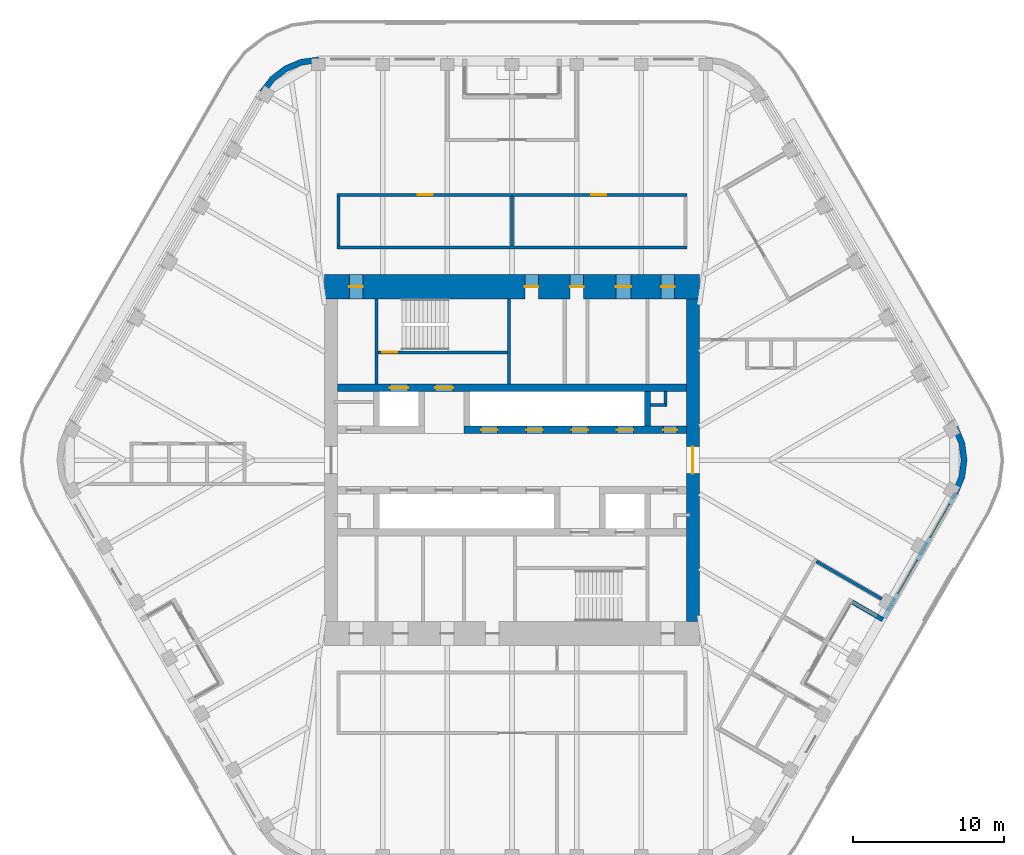
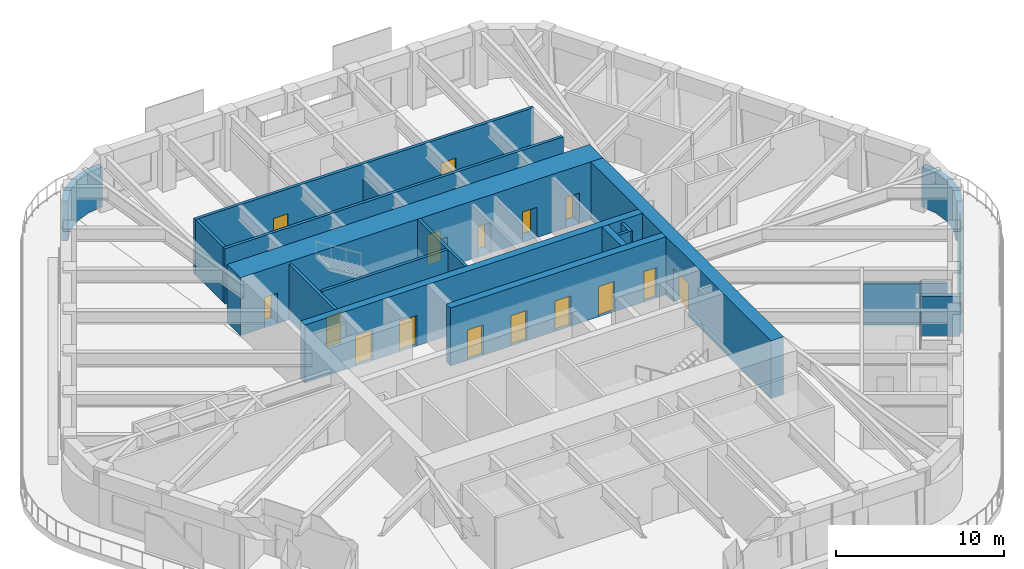
# One storey, part 15 of 19: 19 walls, 16 doors, 2 windows, 18 openings.
"""IFC4 building model written with IfcOpenShell, lengths in metres."""

import ifcopenshell
import ifcopenshell.guid

model = None  # the IFC model being written
_history = None  # IfcOwnerHistory: only IFC2X3 demands one
_inside = {}  # id of a spatial element -> (the spatial element, [elements in it])
_under = {}  # id of a project, library or spatial element -> (it, [spatial elements below it])
_declared = {}  # id of a project -> (the project, [libraries it declares])
_typed = {}  # id of a type object -> (the type object, [elements of that type])
_made_of = {}  # id of a material, layer set ... -> (it, [elements and type objects made of it])


def new_model(schema):
    """Start an empty IFC model of exactly this schema.

    Asked for "IFC4X3", IfcOpenShell would pick the latest addendum, in which some entities
    have other attributes; the version numbers below select the first issue.
    IFC2X3 requires an IfcOwnerHistory on every rooted entity: one is made here for all.
    """
    global model, _history
    if schema == "IFC4X3":
        model = ifcopenshell.file(schema_version=(4, 3, 0, 0))
    else:
        model = ifcopenshell.file(schema=schema)
    _inside.clear()
    _under.clear()
    _declared.clear()
    _typed.clear()
    _made_of.clear()
    _history = None
    if model.schema == "IFC2X3":
        org = make("IfcOrganization", Name="unknown")
        user = make(
            "IfcPersonAndOrganization",
            ThePerson=make("IfcPerson", FamilyName="unknown"),
            TheOrganization=org,
        )
        app = make(
            "IfcApplication",
            ApplicationDeveloper=org,
            Version="unknown",
            ApplicationFullName="unknown",
            ApplicationIdentifier="unknown",
        )
        _history = make(
            "IfcOwnerHistory",
            OwningUser=user,
            OwningApplication=app,
            ChangeAction="ADDED",
            CreationDate=0,
        )
    return model


def make(cls, **values):
    """One entity of the class cls with the attributes given. An attribute that is None is left unset."""
    return model.create_entity(
        cls, **{name: value for name, value in values.items() if value is not None}
    )


def rooted(cls, **values):
    """An entity with a GlobalId (a new one), such as an element, a storey or a relation."""
    return make(cls, GlobalId=ifcopenshell.guid.new(), OwnerHistory=_history, **values)


def si_unit(unit_type, name, prefix=None):
    """IfcSIUnit, for example si_unit("LENGTHUNIT", "METRE", prefix="MILLI")."""
    return make("IfcSIUnit", UnitType=unit_type, Prefix=prefix, Name=name)


def assignment(units):
    """IfcUnitAssignment: the units of a project."""
    return None if units is None else make("IfcUnitAssignment", Units=units)


def point(xyz):
    """IfcCartesianPoint."""
    return None if xyz is None else make("IfcCartesianPoint", Coordinates=xyz)


def direction(xyz):
    """IfcDirection."""
    return None if xyz is None else make("IfcDirection", DirectionRatios=xyz)


def frame(location, z_axis=None, x_axis=None):
    """IfcAxis2Placement3D, a coordinate frame: its origin and axes. An axis left out is left unset."""
    return make(
        "IfcAxis2Placement3D",
        Location=point(location),
        Axis=direction(z_axis),
        RefDirection=direction(x_axis),
    )


def frame_2d(location, x_axis=None):
    """IfcAxis2Placement2D, a coordinate frame in the plane: its origin and x axis."""
    return make(
        "IfcAxis2Placement2D", Location=point(location), RefDirection=direction(x_axis)
    )


def origin():
    """The frame at (0, 0, 0) with its axes left unset."""
    return frame((0.0, 0.0, 0.0))


def place(relative_to, where):
    """IfcLocalPlacement: puts the frame where relative to a parent placement (None: the world)."""
    return make(
        "IfcLocalPlacement", PlacementRelTo=relative_to, RelativePlacement=where
    )


def context(
    kind, dimensions, precision=None, world=None, true_north=None, identifier=None
):
    """IfcGeometricRepresentationContext, for example the 3D "Model" context."""
    return make(
        "IfcGeometricRepresentationContext",
        ContextIdentifier=identifier,
        ContextType=kind,
        CoordinateSpaceDimension=dimensions,
        Precision=precision,
        WorldCoordinateSystem=world,
        TrueNorth=true_north,
    )


def subcontext(parent, identifier, kind, view, scale=None):
    """IfcGeometricRepresentationSubContext, for example "Body" below "Model"."""
    return make(
        "IfcGeometricRepresentationSubContext",
        ContextIdentifier=identifier,
        ContextType=kind,
        ParentContext=parent,
        TargetScale=scale,
        TargetView=view,
    )


def project(units=None, contexts=None):
    """IfcProject with its units and contexts."""
    return rooted(
        "IfcProject",
        Name="project",
        RepresentationContexts=contexts,
        UnitsInContext=assignment(units),
    )


def spatial(cls, under=None, at=None, **own):
    """A site, building, storey or space (cls), placed at a placement, below another one or the project."""
    s = rooted(cls, ObjectPlacement=at, **own)
    if under is not None:
        _under.setdefault(under.id(), (under, []))[1].append(s)
    return s


def polyline(points):
    """IfcPolyline through the points."""
    return make("IfcPolyline", Points=[point(p) for p in points])


def profile(cls, at=None, kind="AREA", **sizes):
    """A parametric profile (cls). Its sizes go by their IFC names, for example OverallWidth=200.0."""
    return make(cls, ProfileType=kind, Position=at, **sizes)


def rectangle(**sizes):
    """IfcRectangleProfileDef."""
    return profile("IfcRectangleProfileDef", **sizes)


def outline(outer, holes=None, kind="AREA"):
    """IfcArbitraryClosedProfileDef: a profile drawn as a closed curve; with holes, ...WithVoids."""
    if holes is None:
        return make("IfcArbitraryClosedProfileDef", ProfileType=kind, OuterCurve=outer)
    return make(
        "IfcArbitraryProfileDefWithVoids",
        ProfileType=kind,
        OuterCurve=outer,
        InnerCurves=holes,
    )


def extrude(swept, where, along, depth):
    """IfcExtrudedAreaSolid: the profile swept, set in the frame where, extruded along a direction by depth."""
    return make(
        "IfcExtrudedAreaSolid",
        SweptArea=swept,
        Position=where,
        ExtrudedDirection=direction(along),
        Depth=depth,
    )


def shape(context_of_items, identifier, shape_type, items):
    """IfcShapeRepresentation: the items that make up one representation, for example the "Body"."""
    return make(
        "IfcShapeRepresentation",
        ContextOfItems=context_of_items,
        RepresentationIdentifier=identifier,
        RepresentationType=shape_type,
        Items=items,
    )


def material(Name=None, Category=None):
    """IfcMaterial."""
    return make("IfcMaterial", Name=Name, Category=Category)


def layer(
    of_material, thickness, ventilated=None, Name=None, Category=None, Priority=None
):
    """IfcMaterialLayer: one layer of a wall or slab, of a material (None: an air gap)."""
    return make(
        "IfcMaterialLayer",
        Material=of_material,
        LayerThickness=thickness,
        IsVentilated=ventilated,
        Name=Name,
        Category=Category,
        Priority=Priority,
    )


def layer_set(layers, Name=None):
    """IfcMaterialLayerSet."""
    return make("IfcMaterialLayerSet", MaterialLayers=layers, LayerSetName=Name)


def made_of(thing, what):
    """Note that an element or type object is made of a material, layer set ...; save() writes the relation."""
    if what is not None:
        _made_of.setdefault(what.id(), (what, []))[1].append(thing)
    return thing


def type_object(cls, material=None, **own):
    """A type object (cls), such as IfcWallType, which elements share."""
    return made_of(rooted(cls, **own), material)


def element(
    cls,
    number,
    at=None,
    inside=None,
    cuts=None,
    type_object=None,
    material=None,
    context=None,
    identifier="Body",
    shape_type=None,
    held_by="IfcProductDefinitionShape",
    body=None,
    shapes=None,
    **own,
):
    """One element of the class cls, such as IfcWall. Its Tag is "e" and its number.

    at: its placement. inside: the storey or other place that contains it. cuts: it is an
    opening in that element (IfcRelVoidsElement). A single representation is given by context,
    identifier, shape_type and body (its items); several are given by shapes. held_by: the class
    of the entity that holds the representations. save() writes the other relations.
    """
    e = rooted(cls, Tag="e%d" % number, ObjectPlacement=at, **own)
    if body is not None:
        shapes = [shape(context, identifier, shape_type, body)]
    if shapes is not None:
        e.Representation = make(held_by, Representations=shapes)
    if inside is not None:
        _inside.setdefault(inside.id(), (inside, []))[1].append(e)
    if cuts is not None:
        rooted(
            "IfcRelVoidsElement", RelatingBuildingElement=cuts, RelatedOpeningElement=e
        )
    if type_object is not None:
        _typed.setdefault(type_object.id(), (type_object, []))[1].append(e)
    return made_of(e, material)


def fill(opening, filler):
    """IfcRelFillsElement: the door or window that sits in an opening."""
    return rooted(
        "IfcRelFillsElement",
        RelatingOpeningElement=opening,
        RelatedBuildingElement=filler,
    )


def aggregate(whole, parts):
    """IfcRelAggregates: a whole, such as a stair, and the parts it consists of."""
    return rooted("IfcRelAggregates", RelatingObject=whole, RelatedObjects=parts)


def save(model, path):
    """Write the relations noted so far, then the file.

    IfcRelAggregates (storeys below a building ...), IfcRelContainedInSpatialStructure (elements
    in a storey), IfcRelDefinesByType, IfcRelAssociatesMaterial and IfcRelDeclares: one each for
    every whole, place, type object, material and project.
    """
    for whole, parts in _under.values():
        aggregate(whole, parts)
    for where, things in _inside.values():
        rooted(
            "IfcRelContainedInSpatialStructure",
            RelatedElements=things,
            RelatingStructure=where,
        )
    for kind, things in _typed.values():
        rooted("IfcRelDefinesByType", RelatedObjects=things, RelatingType=kind)
    for what, things in _made_of.values():
        rooted("IfcRelAssociatesMaterial", RelatedObjects=things, RelatingMaterial=what)
    for by, libraries in _declared.values():
        rooted("IfcRelDeclares", RelatingContext=by, RelatedDefinitions=libraries)
    model.write(path)


model = new_model("IFC4")

# Units and contexts
model_context = context("Model", 3, precision=1e-05, world=origin(), true_north=direction((0.0, 1.0)))
body_context = subcontext(model_context, "Body", "Model", "MODEL_VIEW")
ifc_project = project(units=[si_unit("LENGTHUNIT", "METRE"), si_unit("AREAUNIT", "SQUARE_METRE"), si_unit("VOLUMEUNIT", "CUBIC_METRE"), si_unit("PLANEANGLEUNIT", "RADIAN"), si_unit("MASSUNIT", "GRAM", prefix="KILO")], contexts=[model_context])

# Site, building, storey
site_placement = place(None, origin())
site = spatial("IfcSite", under=ifc_project, at=site_placement, CompositionType="ELEMENT")
building_placement = place(site_placement, origin())
building = spatial("IfcBuilding", under=site, at=building_placement, Name="Tarfa Lantern Tower", CompositionType="ELEMENT")
storey_placement = place(building_placement, frame((0.0, 0.0, 353.5)))
storey = spatial("IfcBuildingStorey", under=building, at=storey_placement, Name="L80", CompositionType="ELEMENT", Elevation=353.5)

# Wall, openings, windows
ifc_material_1 = material(Name="Limestone cladding on blockwork", Category="masonry")
ifc_layer_1 = layer(ifc_material_1, 0.300048828125)
ifc_layer_set_1 = layer_set([ifc_layer_1], Name="EW1 STONE-CLAD WALL 300")
wall_type_1 = type_object("IfcWallType", Name="EW1 STONE-CLAD WALL 300", PredefinedType="SOLIDWALL", material=ifc_layer_set_1)
wall_1_placement = place(storey_placement, frame((24.67724609375, -10.457763671875, 0.0), z_axis=(0.0, 0.0, 1.0), x_axis=(0.499996453679, 0.866027451244, 0.0)))
wall_1 = element("IfcWall", 1, at=wall_1_placement, inside=storey, type_object=wall_type_1, Name="Stone wall SEB", PredefinedType="SOLIDWALL", context=body_context, shape_type="SweptSolid", body=[
    extrude(rectangle(XDim=9.56396484375, YDim=0.300048828125, at=frame_2d((4.781982421875, 0.0))), origin(), (0.0, 0.0, 1.0), 2.89990234375),
])
opening_1_placement = place(wall_1_placement, frame((1.865966796875, 0.0, 0.60009765625)))
opening_1 = element("IfcOpeningElement", 2, at=opening_1_placement, cuts=wall_1, Name="Opening W17", PredefinedType="OPENING", context=body_context, shape_type="SweptSolid", body=[
    extrude(rectangle(XDim=2.550048828125, YDim=2.050048828125, at=frame_2d((1.27490234375, 1.02490234375))), frame((0.0, 0.159912109375, 0.0), z_axis=(0.0, -1.0, 0.0), x_axis=(1.0, 0.0, 0.0)), (0.0, 0.0, 1.0), 0.320068359375),
])
opening_2_placement = place(wall_1_placement, frame((6.14794921875, 0.0, 0.60009765625)))
opening_2 = element("IfcOpeningElement", 3, at=opening_2_placement, cuts=wall_1, Name="Opening W17", PredefinedType="OPENING", context=body_context, shape_type="SweptSolid", body=[
    extrude(rectangle(XDim=2.550048828125, YDim=2.050048828125, at=frame_2d((1.27490234375, 1.02490234375))), frame((0.0, 0.159912109375, 0.0), z_axis=(0.0, -1.0, 0.0), x_axis=(1.0, 0.0, 0.0)), (0.0, 0.0, 1.0), 0.320068359375),
])
ifc_material_2 = material(Name="Aluminium frame, double glazed", Category="aluminium")
window_type = type_object("IfcWindowType", Name="W17 FULL-HEIGHT GLAZING 2550x2050", PartitioningType="SINGLE_PANEL", PredefinedType="WINDOW", material=ifc_material_2)
window_1_placement = place(opening_1_placement, origin())
window_1 = element("IfcWindow", 4, at=window_1_placement, inside=storey, type_object=window_type, Name="Window SEB 1", OverallHeight=2.050048828125, OverallWidth=2.550048828125, PartitioningType="SINGLE_PANEL", PredefinedType="WINDOW", context=body_context, shape_type="SweptSolid", body=[
    extrude(rectangle(XDim=2.550048828125, YDim=2.050048828125, at=frame_2d((1.27490234375, 1.02490234375))), frame((0.0, 0.030029296875, 0.0), z_axis=(0.0, -1.0, 0.0), x_axis=(1.0, 0.0, 0.0)), (0.0, 0.0, 1.0), 0.06005859375),
])
fill(opening_1, window_1)
window_2_placement = place(opening_2_placement, origin())
window_2 = element("IfcWindow", 5, at=window_2_placement, inside=storey, type_object=window_type, Name="Window SEB 2", OverallHeight=2.050048828125, OverallWidth=2.550048828125, PartitioningType="SINGLE_PANEL", PredefinedType="WINDOW", context=body_context, shape_type="SweptSolid", body=[
    extrude(rectangle(XDim=2.550048828125, YDim=2.050048828125, at=frame_2d((1.27490234375, 1.02490234375))), frame((0.0, 0.030029296875, 0.0), z_axis=(0.0, -1.0, 0.0), x_axis=(1.0, 0.0, 0.0)), (0.0, 0.0, 1.0), 0.06005859375),
])
fill(opening_2, window_2)

# Walls
wall_2_placement = place(storey_placement, frame((24.602294921875, -10.587646484375, 0.0), z_axis=(0.0, 0.0, 1.0), x_axis=(-0.866016039709, 0.500016218704, 0.0)))
element("IfcWall", 6, at=wall_2_placement, inside=storey, type_object=wall_type_1, Name="Terrace return SE 2", PredefinedType="SOLIDWALL", context=body_context, shape_type="SweptSolid", body=[
    extrude(rectangle(XDim=2.35009765625, YDim=0.300048828125, at=frame_2d((1.175048828125, 0.0))), origin(), (0.0, 0.0, 1.0), 2.89990234375),
])
ifc_layer_2 = layer(ifc_material_1, 0.39990234375)
ifc_layer_set_2 = layer_set([ifc_layer_2], Name="EW2 CURVED STONE CORNER 400")
wall_type_2 = type_object("IfcWallType", Name="EW2 CURVED STONE CORNER 400", PredefinedType="SOLIDWALL", material=ifc_layer_set_2)
wall_3_placement = place(storey_placement, origin())
element("IfcWall", 7, at=wall_3_placement, inside=storey, type_object=wall_type_2, Name="Stone corner N-NW", PredefinedType="SOLIDWALL", context=body_context, shape_type="SweptSolid", body=[
    extrude(outline(polyline([(-12.845947265625, 26.75), (-14.0107421875, 26.5966796875), (-15.095947265625, 26.147216796875), (-16.028076171875, 25.431884765625), (-16.7431640625, 24.5), (-16.396728515625, 24.300048828125), (-15.7451171875, 25.149169921875), (-14.89599609375, 25.80078125), (-13.9072265625, 26.210205078125), (-12.845947265625, 26.35009765625), (-12.845947265625, 26.75)])), origin(), (0.0, 0.0, 1.0), 2.89990234375),
])
wall_4_placement = place(storey_placement, origin())
element("IfcWall", 8, at=wall_4_placement, inside=storey, type_object=wall_type_2, Name="Stone corner SE-NE", PredefinedType="SOLIDWALL", context=body_context, shape_type="SweptSolid", body=[
    extrude(outline(polyline([(29.589111328125, -2.25), (30.038818359375, -1.164794921875), (30.192138671875, 0.0), (30.038818359375, 1.164794921875), (29.589111328125, 2.25), (29.24267578125, 2.050048828125), (29.65234375, 1.061279296875), (29.7919921875, 0.0), (29.65234375, -1.061279296875), (29.24267578125, -2.050048828125), (29.589111328125, -2.25)])), origin(), (0.0, 0.0, 1.0), 2.89990234375),
])
ifc_material_3 = material(Name="Concrete blockwork", Category="masonry")
ifc_layer_3 = layer(ifc_material_3, 0.199951171875)
ifc_layer_set_3 = layer_set([ifc_layer_3], Name="IW1 BLOCKWORK PARTITION 200 EI 120")
wall_type_3 = type_object("IfcWallType", Name="IW1 BLOCKWORK PARTITION 200 EI 120", PredefinedType="PARTITIONING", material=ifc_layer_set_3)
wall_5_placement = place(storey_placement, frame((-9.0, 5.050048828125, 0.0), z_axis=(0.0, 0.0, 1.0), x_axis=(0.0, 1.0, 0.0)))
element("IfcWall", 9, at=wall_5_placement, inside=storey, type_object=wall_type_3, Name="Core partition", PredefinedType="PARTITIONING", context=body_context, shape_type="SweptSolid", body=[
    extrude(rectangle(XDim=5.64990234375, YDim=0.199951171875, at=frame_2d((2.824951171875, 0.0))), origin(), (0.0, 0.0, 1.0), 4.0),
])
for number, where, z_axis, x_axis, name in (
    (10, (9.199951171875, 3.64990234375, 0.0), (0.0, 0.0, 1.0), (1.0, 0.0, 0.0), "Core partition"),
    (11, (10.199951171875, 3.550048828125, 0.0), (0.0, 0.0, 1.0), (0.0, 1.0, 0.0), "Core partition"),
):
    element("IfcWall", number, at=place(storey_placement, frame(where, z_axis=z_axis, x_axis=x_axis)), inside=storey, type_object=wall_type_3, Name=name, PredefinedType="PARTITIONING", context=body_context, shape_type="SweptSolid", body=[
        extrude(rectangle(XDim=1.0, YDim=0.199951171875, at=frame_2d((0.5, 0.0))), origin(), (0.0, 0.0, 1.0), 4.0),
    ])
ifc_material_4 = material(Name="Gypsum board on steel studs", Category="steel")
ifc_layer_4 = layer(ifc_material_4, 0.2099609375)
ifc_layer_set_4 = layer_set([ifc_layer_4], Name="IW2 ACOUSTIC PARTITION 200")
wall_type_4 = type_object("IfcWallType", Name="IW2 ACOUSTIC PARTITION 200", PredefinedType="PARTITIONING", material=ifc_layer_set_4)
wall_6_placement = place(storey_placement, frame((-11.60009765625, 14.10009765625, 0.0), z_axis=(0.0, 0.0, 1.0), x_axis=(1.0, 0.0, 0.0)))
element("IfcWall", 12, at=wall_6_placement, inside=storey, type_object=wall_type_4, Name="Partition", PredefinedType="PARTITIONING", context=body_context, shape_type="SweptSolid", body=[
    extrude(rectangle(XDim=23.2001953125, YDim=0.199951171875, at=frame_2d((11.60009765625, 0.0))), origin(), (0.0, 0.0, 1.0), 4.0),
])

# Wall, openings, doors
wall_7_placement = place(storey_placement, frame((-11.60009765625, 17.60009765625, 0.0), z_axis=(0.0, 0.0, 1.0), x_axis=(1.0, 0.0, 0.0)))
wall_7 = element("IfcWall", 13, at=wall_7_placement, inside=storey, type_object=wall_type_4, Name="Partition", PredefinedType="PARTITIONING", context=body_context, shape_type="SweptSolid", body=[
    extrude(rectangle(XDim=23.2001953125, YDim=0.199951171875, at=frame_2d((11.60009765625, 0.0))), origin(), (0.0, 0.0, 1.0), 4.0),
])
opening_3_placement = place(wall_7_placement, frame((5.35009765625, 0.0, 0.0)))
opening_3 = element("IfcOpeningElement", 14, at=opening_3_placement, cuts=wall_7, Name="Opening D27", PredefinedType="OPENING", context=body_context, shape_type="SweptSolid", body=[
    extrude(rectangle(XDim=1.0, YDim=2.199951171875, at=frame_2d((0.5, 1.10009765625))), frame((0.0, 0.10986328125, 0.0), z_axis=(0.0, -1.0, 0.0), x_axis=(1.0, 0.0, 0.0)), (0.0, 0.0, 1.0), 0.219970703125),
])
opening_4_placement = place(wall_7_placement, frame((16.85009765625, 0.0, 0.0)))
opening_4 = element("IfcOpeningElement", 15, at=opening_4_placement, cuts=wall_7, Name="Opening D28", PredefinedType="OPENING", context=body_context, shape_type="SweptSolid", body=[
    extrude(rectangle(XDim=1.0, YDim=2.199951171875, at=frame_2d((0.5, 1.10009765625))), frame((0.0, 0.10986328125, 0.0), z_axis=(0.0, -1.0, 0.0), x_axis=(1.0, 0.0, 0.0)), (0.0, 0.0, 1.0), 0.219970703125),
])
ifc_material_5 = material(Name="Timber door", Category="wood")
door_type_1 = type_object("IfcDoorType", Name="DR1 ROOM DOOR 1000x2200", OperationType="SINGLE_SWING_LEFT", PredefinedType="DOOR", material=ifc_material_5)
door_1_placement = place(opening_3_placement, frame((1.0, 0.0, 0.0), z_axis=(0.0, 0.0, 1.0), x_axis=(-1.0, 0.0, 0.0)))
door_1 = element("IfcDoor", 16, at=door_1_placement, inside=storey, type_object=door_type_1, Name="Equipment store door", OperationType="SINGLE_SWING_LEFT", OverallHeight=2.199951171875, OverallWidth=1.0, PredefinedType="DOOR", context=body_context, shape_type="SweptSolid", body=[
    extrude(rectangle(XDim=1.0, YDim=2.199951171875, at=frame_2d((0.5, 1.10009765625))), frame((0.0, 0.02490234375, 0.0), z_axis=(0.0, -1.0, 0.0), x_axis=(1.0, 0.0, 0.0)), (0.0, 0.0, 1.0), 0.050048828125),
])
fill(opening_3, door_1)
door_2_placement = place(opening_4_placement, frame((1.0, 0.0, 0.0), z_axis=(0.0, 0.0, 1.0), x_axis=(-1.0, 0.0, 0.0)))
door_2 = element("IfcDoor", 17, at=door_2_placement, inside=storey, type_object=door_type_1, Name="Supplies store door", OperationType="SINGLE_SWING_RIGHT", OverallHeight=2.199951171875, OverallWidth=1.0, PredefinedType="DOOR", context=body_context, shape_type="SweptSolid", body=[
    extrude(rectangle(XDim=1.0, YDim=2.199951171875, at=frame_2d((0.5, 1.10009765625))), frame((0.0, 0.02490234375, 0.0), z_axis=(0.0, -1.0, 0.0), x_axis=(1.0, 0.0, 0.0)), (0.0, 0.0, 1.0), 0.050048828125),
])
fill(opening_4, door_2)

# Walls
wall_8_placement = place(storey_placement, frame((-11.5, 14.199951171875, 0.0), z_axis=(0.0, 0.0, 1.0), x_axis=(0.0, 1.0, 0.0)))
element("IfcWall", 18, at=wall_8_placement, inside=storey, type_object=wall_type_4, Name="Partition", PredefinedType="PARTITIONING", context=body_context, shape_type="SweptSolid", body=[
    extrude(rectangle(XDim=3.300048828125, YDim=0.199951171875, at=frame_2d((1.64990234375, 0.0))), origin(), (0.0, 0.0, 1.0), 4.0),
])
wall_9_placement = place(storey_placement, frame((0.0, 14.199951171875, 0.0), z_axis=(0.0, 0.0, 1.0), x_axis=(0.0, 1.0, 0.0)))
element("IfcWall", 19, at=wall_9_placement, inside=storey, type_object=wall_type_4, Name="Partition", PredefinedType="PARTITIONING", context=body_context, shape_type="SweptSolid", body=[
    extrude(rectangle(XDim=3.300048828125, YDim=0.199951171875, at=frame_2d((1.64990234375, 0.0))), origin(), (0.0, 0.0, 1.0), 2.991943359375),
])
wall_10_placement = place(storey_placement, frame((20.19775390625, -6.716552734375, 0.0), z_axis=(0.0, 0.0, 1.0), x_axis=(0.866022959057, -0.500004234368, 0.0)))
element("IfcWall", 20, at=wall_10_placement, inside=storey, type_object=wall_type_4, Name="Partition", PredefinedType="PARTITIONING", context=body_context, shape_type="SweptSolid", body=[
    extrude(rectangle(XDim=5.0, YDim=0.199951171875, at=frame_2d((2.5, 0.0))), origin(), (0.0, 0.0, 1.0), 2.991943359375),
])
ifc_material_6 = material(Name="Concrete C80/95", Category="concrete")
ifc_layer_5 = layer(ifc_material_6, 0.199951171875)
ifc_layer_set_5 = layer_set([ifc_layer_5], Name="SW12 CORE WALL 200")
wall_type_5 = type_object("IfcWallType", Name="SW12 CORE WALL 200", PredefinedType="SHEAR", material=ifc_layer_set_5)
wall_11_placement = place(storey_placement, frame((-0.199951171875, 5.050048828125, 0.0), z_axis=(0.0, 0.0, 1.0), x_axis=(0.0, 1.0, 0.0)))
element("IfcWall", 21, at=wall_11_placement, inside=storey, type_object=wall_type_5, Name="Core wall stair shaft N", PredefinedType="SHEAR", context=body_context, shape_type="SweptSolid", body=[
    extrude(rectangle(XDim=5.64990234375, YDim=0.199951171875, at=frame_2d((2.824951171875, 0.0))), origin(), (0.0, 0.0, 1.0), 4.199951171875),
])

# Wall, opening, door
wall_12_placement = place(storey_placement, frame((-8.89990234375, 7.14990234375, 0.0), z_axis=(0.0, 0.0, 1.0), x_axis=(1.0, 0.0, 0.0)))
wall_12 = element("IfcWall", 22, at=wall_12_placement, inside=storey, type_object=wall_type_5, Name="Core wall stair partition N", PredefinedType="SHEAR", context=body_context, shape_type="SweptSolid", body=[
    extrude(rectangle(XDim=8.599853515625, YDim=0.199951171875, at=frame_2d((4.2998046875, 0.0))), origin(), (0.0, 0.0, 1.0), 4.199951171875),
])
opening_5_placement = place(wall_12_placement, frame((0.300048828125, 0.0, 0.0)))
opening_5 = element("IfcOpeningElement", 23, at=opening_5_placement, cuts=wall_12, Name="Opening D19", PredefinedType="OPENING", context=body_context, shape_type="SweptSolid", body=[
    extrude(rectangle(XDim=1.0, YDim=2.199951171875, at=frame_2d((0.5, 1.10009765625))), frame((0.0, 0.10986328125, 0.0), z_axis=(0.0, -1.0, 0.0), x_axis=(1.0, 0.0, 0.0)), (0.0, 0.0, 1.0), 0.219970703125),
])
ifc_material_7 = material(Name="Steel fire door", Category="steel")
door_type_2 = type_object("IfcDoorType", Name="DF2 STAIR DOOR 1000x2200", OperationType="SINGLE_SWING_LEFT", PredefinedType="DOOR", material=ifc_material_7)
door_3_placement = place(opening_5_placement, origin())
door_3 = element("IfcDoor", 24, at=door_3_placement, inside=storey, type_object=door_type_2, Name="Stair door", OperationType="SINGLE_SWING_RIGHT", OverallHeight=2.199951171875, OverallWidth=1.0, PredefinedType="DOOR", context=body_context, shape_type="SweptSolid", body=[
    extrude(rectangle(XDim=1.0, YDim=2.199951171875, at=frame_2d((0.5, 1.10009765625))), frame((0.0, 0.02490234375, 0.0), z_axis=(0.0, -1.0, 0.0), x_axis=(1.0, 0.0, 0.0)), (0.0, 0.0, 1.0), 0.050048828125),
])
fill(opening_5, door_3)

ifc_layer_6 = layer(ifc_material_6, 0.85009765625)
ifc_layer_set_6 = layer_set([ifc_layer_6], Name="SW3 CORE WALL 850")
wall_type_6 = type_object("IfcWallType", Name="SW3 CORE WALL 850", PredefinedType="SHEAR", material=ifc_layer_set_6)
wall_13_placement = place(storey_placement, frame((12.0, -10.699951171875, 0.0), z_axis=(0.0, 0.0, 1.0), x_axis=(0.0, 1.0, 0.0)))
wall_13 = element("IfcWall", 25, at=wall_13_placement, inside=storey, type_object=wall_type_6, Name="Core wall E", PredefinedType="SHEAR", context=body_context, shape_type="SweptSolid", body=[
    extrude(rectangle(XDim=21.39990234375, YDim=0.85009765625, at=frame_2d((10.699951171875, 0.0))), origin(), (0.0, 0.0, 1.0), 4.199951171875),
])
opening_6_placement = place(wall_13_placement, frame((9.800048828125, 0.0, 0.0)))
opening_6 = element("IfcOpeningElement", 26, at=opening_6_placement, cuts=wall_13, Name="Opening D07", PredefinedType="OPENING", context=body_context, shape_type="SweptSolid", body=[
    extrude(rectangle(XDim=1.800048828125, YDim=2.39990234375, at=frame_2d((0.89990234375, 1.199951171875))), frame((0.0, 0.43505859375, 0.0), z_axis=(0.0, -1.0, 0.0), x_axis=(1.0, 0.0, 0.0)), (0.0, 0.0, 1.0), 0.8701171875),
])
door_type_3 = type_object("IfcDoorType", Name="DL1 LOBBY DOOR 1800x2400", OperationType="DOUBLE_DOOR_SINGLE_SWING", PredefinedType="DOOR", material=ifc_material_7)
door_4_placement = place(opening_6_placement, frame((1.800048828125, 0.0, 0.0), z_axis=(0.0, 0.0, 1.0), x_axis=(-1.0, 0.0, 0.0)))
door_4 = element("IfcDoor", 27, at=door_4_placement, inside=storey, type_object=door_type_3, Name="Lift lobby door", OperationType="DOUBLE_DOOR_SINGLE_SWING", OverallHeight=2.39990234375, OverallWidth=1.800048828125, PredefinedType="DOOR", context=body_context, shape_type="SweptSolid", body=[
    extrude(rectangle(XDim=1.800048828125, YDim=2.39990234375, at=frame_2d((0.89990234375, 1.199951171875))), frame((0.0, 0.02490234375, 0.0), z_axis=(0.0, -1.0, 0.0), x_axis=(1.0, 0.0, 0.0)), (0.0, 0.0, 1.0), 0.050048828125),
])
fill(opening_6, door_4)

# Wall, openings, doors
ifc_layer_7 = layer(ifc_material_6, 0.5)
ifc_layer_set_7 = layer_set([ifc_layer_7], Name="SW5 CORE WALL 500")
wall_type_7 = type_object("IfcWallType", Name="SW5 CORE WALL 500", PredefinedType="SHEAR", material=ifc_layer_set_7)
wall_14_placement = place(storey_placement, frame((-3.199951171875, 2.0, 0.0), z_axis=(0.0, 0.0, 1.0), x_axis=(1.0, 0.0, 0.0)))
wall_14 = element("IfcWall", 28, at=wall_14_placement, inside=storey, type_object=wall_type_7, Name="Core wall lobby east N", PredefinedType="SHEAR", context=body_context, shape_type="SweptSolid", body=[
    extrude(rectangle(XDim=14.77490234375, YDim=0.5, at=frame_2d((7.387451171875, 0.0))), origin(), (0.0, 0.0, 1.0), 4.199951171875),
])
opening_7_placement = place(wall_14_placement, frame((13.25, 0.0, 0.0)))
opening_7 = element("IfcOpeningElement", 29, at=opening_7_placement, cuts=wall_14, Name="Opening D09", PredefinedType="OPENING", context=body_context, shape_type="SweptSolid", body=[
    extrude(rectangle(XDim=0.89990234375, YDim=2.199951171875, at=frame_2d((0.449951171875, 1.10009765625))), frame((0.0, 0.260009765625, 0.0), z_axis=(0.0, -1.0, 0.0), x_axis=(1.0, 0.0, 0.0)), (0.0, 0.0, 1.0), 0.52001953125),
])
opening_8_placement = place(wall_14_placement, frame((1.14990234375, 0.0, 0.0)))
opening_8 = element("IfcOpeningElement", 30, at=opening_8_placement, cuts=wall_14, Name="Opening LD03", PredefinedType="OPENING", context=body_context, shape_type="SweptSolid", body=[
    extrude(rectangle(XDim=1.10009765625, YDim=2.199951171875, at=frame_2d((0.550048828125, 1.10009765625))), frame((0.0, 0.260009765625, 0.0), z_axis=(0.0, -1.0, 0.0), x_axis=(1.0, 0.0, 0.0)), (0.0, 0.0, 1.0), 0.52001953125),
])
opening_9_placement = place(wall_14_placement, frame((4.14990234375, 0.0, 0.0)))
opening_9 = element("IfcOpeningElement", 31, at=opening_9_placement, cuts=wall_14, Name="Opening LD04", PredefinedType="OPENING", context=body_context, shape_type="SweptSolid", body=[
    extrude(rectangle(XDim=1.10009765625, YDim=2.199951171875, at=frame_2d((0.550048828125, 1.10009765625))), frame((0.0, 0.260009765625, 0.0), z_axis=(0.0, -1.0, 0.0), x_axis=(1.0, 0.0, 0.0)), (0.0, 0.0, 1.0), 0.52001953125),
])
opening_10_placement = place(wall_14_placement, frame((7.14990234375, 0.0, 0.0)))
opening_10 = element("IfcOpeningElement", 32, at=opening_10_placement, cuts=wall_14, Name="Opening LD05", PredefinedType="OPENING", context=body_context, shape_type="SweptSolid", body=[
    extrude(rectangle(XDim=1.10009765625, YDim=2.199951171875, at=frame_2d((0.550048828125, 1.10009765625))), frame((0.0, 0.260009765625, 0.0), z_axis=(0.0, -1.0, 0.0), x_axis=(1.0, 0.0, 0.0)), (0.0, 0.0, 1.0), 0.52001953125),
])
opening_11_placement = place(wall_14_placement, frame((10.14990234375, 0.0, 0.0)))
opening_11 = element("IfcOpeningElement", 33, at=opening_11_placement, cuts=wall_14, Name="Opening LD06", PredefinedType="OPENING", context=body_context, shape_type="SweptSolid", body=[
    extrude(rectangle(XDim=1.10009765625, YDim=2.199951171875, at=frame_2d((0.550048828125, 1.10009765625))), frame((0.0, 0.260009765625, 0.0), z_axis=(0.0, -1.0, 0.0), x_axis=(1.0, 0.0, 0.0)), (0.0, 0.0, 1.0), 0.52001953125),
])
door_type_4 = type_object("IfcDoorType", Name="DF6 SERVICE ROOM DOOR 900x2200", OperationType="SINGLE_SWING_LEFT", PredefinedType="DOOR", material=ifc_material_7)
door_5_placement = place(opening_7_placement, origin())
door_5 = element("IfcDoor", 34, at=door_5_placement, inside=storey, type_object=door_type_4, Name="Service room door", OperationType="SINGLE_SWING_LEFT", OverallHeight=2.199951171875, OverallWidth=0.89990234375, PredefinedType="DOOR", context=body_context, shape_type="SweptSolid", body=[
    extrude(rectangle(XDim=0.89990234375, YDim=2.199951171875, at=frame_2d((0.449951171875, 1.10009765625))), frame((0.0, 0.02490234375, 0.0), z_axis=(0.0, -1.0, 0.0), x_axis=(1.0, 0.0, 0.0)), (0.0, 0.0, 1.0), 0.050048828125),
])
fill(opening_7, door_5)
ifc_material_8 = material(Name="Stainless steel lift door", Category="steel")
door_type_5 = type_object("IfcDoorType", Name="LD2 LIFT LANDING DOOR 1100x2200", OperationType="SLIDING_TO_LEFT", PredefinedType="DOOR", material=ifc_material_8)
door_6_placement = place(opening_8_placement, frame((1.10009765625, 0.0, 0.0), z_axis=(0.0, 0.0, 1.0), x_axis=(-1.0, 0.0, 0.0)))
door_6 = element("IfcDoor", 35, at=door_6_placement, inside=storey, type_object=door_type_5, Name="Landing door PD1", OperationType="SLIDING_TO_LEFT", OverallHeight=2.199951171875, OverallWidth=1.10009765625, PredefinedType="DOOR", context=body_context, shape_type="SweptSolid", body=[
    extrude(rectangle(XDim=1.10009765625, YDim=2.199951171875, at=frame_2d((0.550048828125, 1.10009765625))), frame((0.0, 0.02490234375, 0.0), z_axis=(0.0, -1.0, 0.0), x_axis=(1.0, 0.0, 0.0)), (0.0, 0.0, 1.0), 0.050048828125),
])
fill(opening_8, door_6)
door_7_placement = place(opening_9_placement, frame((1.10009765625, 0.0, 0.0), z_axis=(0.0, 0.0, 1.0), x_axis=(-1.0, 0.0, 0.0)))
door_7 = element("IfcDoor", 36, at=door_7_placement, inside=storey, type_object=door_type_5, Name="Landing door PD2", OperationType="SLIDING_TO_LEFT", OverallHeight=2.199951171875, OverallWidth=1.10009765625, PredefinedType="DOOR", context=body_context, shape_type="SweptSolid", body=[
    extrude(rectangle(XDim=1.10009765625, YDim=2.199951171875, at=frame_2d((0.550048828125, 1.10009765625))), frame((0.0, 0.02490234375, 0.0), z_axis=(0.0, -1.0, 0.0), x_axis=(1.0, 0.0, 0.0)), (0.0, 0.0, 1.0), 0.050048828125),
])
fill(opening_9, door_7)
door_8_placement = place(opening_10_placement, frame((1.10009765625, 0.0, 0.0), z_axis=(0.0, 0.0, 1.0), x_axis=(-1.0, 0.0, 0.0)))
door_8 = element("IfcDoor", 37, at=door_8_placement, inside=storey, type_object=door_type_5, Name="Landing door PD3", OperationType="SLIDING_TO_LEFT", OverallHeight=2.199951171875, OverallWidth=1.10009765625, PredefinedType="DOOR", context=body_context, shape_type="SweptSolid", body=[
    extrude(rectangle(XDim=1.10009765625, YDim=2.199951171875, at=frame_2d((0.550048828125, 1.10009765625))), frame((0.0, 0.02490234375, 0.0), z_axis=(0.0, -1.0, 0.0), x_axis=(1.0, 0.0, 0.0)), (0.0, 0.0, 1.0), 0.050048828125),
])
fill(opening_10, door_8)
door_9_placement = place(opening_11_placement, frame((1.10009765625, 0.0, 0.0), z_axis=(0.0, 0.0, 1.0), x_axis=(-1.0, 0.0, 0.0)))
door_9 = element("IfcDoor", 38, at=door_9_placement, inside=storey, type_object=door_type_5, Name="Landing door PD4", OperationType="SLIDING_TO_LEFT", OverallHeight=2.199951171875, OverallWidth=1.10009765625, PredefinedType="DOOR", context=body_context, shape_type="SweptSolid", body=[
    extrude(rectangle(XDim=1.10009765625, YDim=2.199951171875, at=frame_2d((0.550048828125, 1.10009765625))), frame((0.0, 0.02490234375, 0.0), z_axis=(0.0, -1.0, 0.0), x_axis=(1.0, 0.0, 0.0)), (0.0, 0.0, 1.0), 0.050048828125),
])
fill(opening_11, door_9)

wall_15_placement = place(storey_placement, frame((-11.574951171875, 4.800048828125, 0.0), z_axis=(0.0, 0.0, 1.0), x_axis=(1.0, 0.0, 0.0)))
wall_15 = element("IfcWall", 39, at=wall_15_placement, inside=storey, type_object=wall_type_7, Name="Core wall rear N", PredefinedType="SHEAR", context=body_context, shape_type="SweptSolid", body=[
    extrude(rectangle(XDim=23.14990234375, YDim=0.5, at=frame_2d((11.574951171875, 0.0))), origin(), (0.0, 0.0, 1.0), 4.199951171875),
])
opening_12_placement = place(wall_15_placement, frame((6.47509765625, 0.0, 0.0)))
opening_12 = element("IfcOpeningElement", 40, at=opening_12_placement, cuts=wall_15, Name="Opening D05", PredefinedType="OPENING", context=body_context, shape_type="SweptSolid", body=[
    extrude(rectangle(XDim=1.199951171875, YDim=2.199951171875, at=frame_2d((0.60009765625, 1.10009765625))), frame((0.0, 0.260009765625, 0.0), z_axis=(0.0, -1.0, 0.0), x_axis=(1.0, 0.0, 0.0)), (0.0, 0.0, 1.0), 0.52001953125),
])
opening_13_placement = place(wall_15_placement, frame((3.47509765625, 0.0, 0.0)))
opening_13 = element("IfcOpeningElement", 41, at=opening_13_placement, cuts=wall_15, Name="Opening LD01", PredefinedType="OPENING", context=body_context, shape_type="SweptSolid", body=[
    extrude(rectangle(XDim=1.199951171875, YDim=2.199951171875, at=frame_2d((0.60009765625, 1.10009765625))), frame((0.0, 0.260009765625, 0.0), z_axis=(0.0, -1.0, 0.0), x_axis=(1.0, 0.0, 0.0)), (0.0, 0.0, 1.0), 0.52001953125),
])
door_type_6 = type_object("IfcDoorType", Name="DF1 FIREFIGHTING LOBBY DOOR 1200x2200", OperationType="SINGLE_SWING_LEFT", PredefinedType="DOOR", material=ifc_material_7)
door_10_placement = place(opening_12_placement, origin())
door_10 = element("IfcDoor", 42, at=door_10_placement, inside=storey, type_object=door_type_6, Name="Firefighting lobby door", OperationType="SINGLE_SWING_LEFT", OverallHeight=2.199951171875, OverallWidth=1.199951171875, PredefinedType="DOOR", context=body_context, shape_type="SweptSolid", body=[
    extrude(rectangle(XDim=1.199951171875, YDim=2.199951171875, at=frame_2d((0.60009765625, 1.10009765625))), frame((0.0, 0.02490234375, 0.0), z_axis=(0.0, -1.0, 0.0), x_axis=(1.0, 0.0, 0.0)), (0.0, 0.0, 1.0), 0.050048828125),
])
fill(opening_12, door_10)
door_type_7 = type_object("IfcDoorType", Name="LD1 LIFT LANDING DOOR 1200x2200", OperationType="SLIDING_TO_LEFT", PredefinedType="DOOR", material=ifc_material_8)
door_11_placement = place(opening_13_placement, origin())
door_11 = element("IfcDoor", 43, at=door_11_placement, inside=storey, type_object=door_type_7, Name="Landing door FL1", OperationType="SLIDING_TO_LEFT", OverallHeight=2.199951171875, OverallWidth=1.199951171875, PredefinedType="DOOR", context=body_context, shape_type="SweptSolid", body=[
    extrude(rectangle(XDim=1.199951171875, YDim=2.199951171875, at=frame_2d((0.60009765625, 1.10009765625))), frame((0.0, 0.02490234375, 0.0), z_axis=(0.0, -1.0, 0.0), x_axis=(1.0, 0.0, 0.0)), (0.0, 0.0, 1.0), 0.050048828125),
])
fill(opening_13, door_11)

# Wall
ifc_layer_8 = layer(ifc_material_6, 0.39990234375)
ifc_layer_set_8 = layer_set([ifc_layer_8], Name="SW6 CORE WALL 400")
wall_type_8 = type_object("IfcWallType", Name="SW6 CORE WALL 400", PredefinedType="SHEAR", material=ifc_layer_set_8)
wall_16_placement = place(storey_placement, frame((9.0, 2.25, 0.0), z_axis=(0.0, 0.0, 1.0), x_axis=(0.0, 1.0, 0.0)))
element("IfcWall", 44, at=wall_16_placement, inside=storey, type_object=wall_type_8, Name="Core wall divider N", PredefinedType="SHEAR", context=body_context, shape_type="SweptSolid", body=[
    extrude(rectangle(XDim=2.300048828125, YDim=0.39990234375, at=frame_2d((1.14990234375, 0.0))), origin(), (0.0, 0.0, 1.0), 4.199951171875),
])

# Wall, openings, doors
ifc_layer_9 = layer(ifc_material_6, 1.60009765625)
ifc_layer_set_9 = layer_set([ifc_layer_9], Name="SW7 CORE WALL 1600")
wall_type_9 = type_object("IfcWallType", Name="SW7 CORE WALL 1600", PredefinedType="SHEAR", material=ifc_layer_set_9)
wall_17_placement = place(storey_placement, frame((-12.425048828125, 11.5, 0.0), z_axis=(0.0, 0.0, 1.0), x_axis=(1.0, 0.0, 0.0)))
wall_17 = element("IfcWall", 45, at=wall_17_placement, inside=storey, type_object=wall_type_9, Name="Core wall N", PredefinedType="SHEAR", context=body_context, shape_type="SweptSolid", body=[
    extrude(rectangle(XDim=24.85009765625, YDim=1.60009765625, at=frame_2d((12.425048828125, 0.0))), origin(), (0.0, 0.0, 1.0), 4.199951171875),
])
opening_14_placement = place(wall_17_placement, frame((13.27490234375, 0.0, 0.0)))
opening_14 = element("IfcOpeningElement", 46, at=opening_14_placement, cuts=wall_17, Name="Opening D13", PredefinedType="OPENING", context=body_context, shape_type="SweptSolid", body=[
    extrude(rectangle(XDim=0.89990234375, YDim=2.199951171875, at=frame_2d((0.449951171875, 1.10009765625))), frame((0.0, 0.81005859375, 0.0), z_axis=(0.0, -1.0, 0.0), x_axis=(1.0, 0.0, 0.0)), (0.0, 0.0, 1.0), 1.6201171875),
])
opening_15_placement = place(wall_17_placement, frame((16.27490234375, 0.0, 0.0)))
opening_15 = element("IfcOpeningElement", 47, at=opening_15_placement, cuts=wall_17, Name="Opening D15", PredefinedType="OPENING", context=body_context, shape_type="SweptSolid", body=[
    extrude(rectangle(XDim=0.89990234375, YDim=2.199951171875, at=frame_2d((0.449951171875, 1.10009765625))), frame((0.0, 0.81005859375, 0.0), z_axis=(0.0, -1.0, 0.0), x_axis=(1.0, 0.0, 0.0)), (0.0, 0.0, 1.0), 1.6201171875),
])
opening_16_placement = place(wall_17_placement, frame((19.324951171875, 0.0, 0.0)))
opening_16 = element("IfcOpeningElement", 48, at=opening_16_placement, cuts=wall_17, Name="Opening D17", PredefinedType="OPENING", context=body_context, shape_type="SweptSolid", body=[
    extrude(rectangle(XDim=1.0, YDim=2.199951171875, at=frame_2d((0.5, 1.10009765625))), frame((0.0, 0.81005859375, 0.0), z_axis=(0.0, -1.0, 0.0), x_axis=(1.0, 0.0, 0.0)), (0.0, 0.0, 1.0), 1.6201171875),
])
opening_17_placement = place(wall_17_placement, frame((1.637451171875, 0.0, 0.0)))
opening_17 = element("IfcOpeningElement", 49, at=opening_17_placement, cuts=wall_17, Name="Opening D03", PredefinedType="OPENING", context=body_context, shape_type="SweptSolid", body=[
    extrude(rectangle(XDim=0.89990234375, YDim=2.199951171875, at=frame_2d((0.449951171875, 1.10009765625))), frame((0.0, 0.81005859375, 0.0), z_axis=(0.0, -1.0, 0.0), x_axis=(1.0, 0.0, 0.0)), (0.0, 0.0, 1.0), 1.6201171875),
])
opening_18_placement = place(wall_17_placement, frame((22.3125, 0.0, 0.0)))
opening_18 = element("IfcOpeningElement", 50, at=opening_18_placement, cuts=wall_17, Name="Opening D01", PredefinedType="OPENING", context=body_context, shape_type="SweptSolid", body=[
    extrude(rectangle(XDim=0.89990234375, YDim=2.199951171875, at=frame_2d((0.449951171875, 1.10009765625))), frame((0.0, 0.81005859375, 0.0), z_axis=(0.0, -1.0, 0.0), x_axis=(1.0, 0.0, 0.0)), (0.0, 0.0, 1.0), 1.6201171875),
])
door_type_8 = type_object("IfcDoorType", Name="DF3 CORE ROOM DOOR 900x2200", OperationType="SINGLE_SWING_LEFT", PredefinedType="DOOR", material=ifc_material_7)
door_12_placement = place(opening_14_placement, frame((0.89990234375, 0.0, 0.0), z_axis=(0.0, 0.0, 1.0), x_axis=(-1.0, 0.0, 0.0)))
door_12 = element("IfcDoor", 51, at=door_12_placement, inside=storey, type_object=door_type_8, Name="Core door", OperationType="SINGLE_SWING_LEFT", OverallHeight=2.199951171875, OverallWidth=0.89990234375, PredefinedType="DOOR", context=body_context, shape_type="SweptSolid", body=[
    extrude(rectangle(XDim=0.89990234375, YDim=2.199951171875, at=frame_2d((0.449951171875, 1.10009765625))), frame((0.0, 0.02490234375, 0.0), z_axis=(0.0, -1.0, 0.0), x_axis=(1.0, 0.0, 0.0)), (0.0, 0.0, 1.0), 0.050048828125),
])
fill(opening_14, door_12)
door_13_placement = place(opening_15_placement, frame((0.89990234375, 0.0, 0.0), z_axis=(0.0, 0.0, 1.0), x_axis=(-1.0, 0.0, 0.0)))
door_13 = element("IfcDoor", 52, at=door_13_placement, inside=storey, type_object=door_type_8, Name="Core door", OperationType="SINGLE_SWING_RIGHT", OverallHeight=2.199951171875, OverallWidth=0.89990234375, PredefinedType="DOOR", context=body_context, shape_type="SweptSolid", body=[
    extrude(rectangle(XDim=0.89990234375, YDim=2.199951171875, at=frame_2d((0.449951171875, 1.10009765625))), frame((0.0, 0.02490234375, 0.0), z_axis=(0.0, -1.0, 0.0), x_axis=(1.0, 0.0, 0.0)), (0.0, 0.0, 1.0), 0.050048828125),
])
fill(opening_15, door_13)
door_type_9 = type_object("IfcDoorType", Name="DF4 CORE ROOM DOOR 1000x2200", OperationType="SINGLE_SWING_LEFT", PredefinedType="DOOR", material=ifc_material_7)
door_14_placement = place(opening_16_placement, frame((1.0, 0.0, 0.0), z_axis=(0.0, 0.0, 1.0), x_axis=(-1.0, 0.0, 0.0)))
door_14 = element("IfcDoor", 53, at=door_14_placement, inside=storey, type_object=door_type_9, Name="Core door", OperationType="SINGLE_SWING_RIGHT", OverallHeight=2.199951171875, OverallWidth=1.0, PredefinedType="DOOR", context=body_context, shape_type="SweptSolid", body=[
    extrude(rectangle(XDim=1.0, YDim=2.199951171875, at=frame_2d((0.5, 1.10009765625))), frame((0.0, 0.02490234375, 0.0), z_axis=(0.0, -1.0, 0.0), x_axis=(1.0, 0.0, 0.0)), (0.0, 0.0, 1.0), 0.050048828125),
])
fill(opening_16, door_14)
door_type_10 = type_object("IfcDoorType", Name="DF5 RISER DOOR 900x2200", OperationType="SINGLE_SWING_LEFT", PredefinedType="DOOR", material=ifc_material_7)
door_15_placement = place(opening_17_placement, frame((0.89990234375, 0.0, 0.0), z_axis=(0.0, 0.0, 1.0), x_axis=(-1.0, 0.0, 0.0)))
door_15 = element("IfcDoor", 54, at=door_15_placement, inside=storey, type_object=door_type_10, Name="Riser door", OperationType="SINGLE_SWING_LEFT", OverallHeight=2.199951171875, OverallWidth=0.89990234375, PredefinedType="DOOR", context=body_context, shape_type="SweptSolid", body=[
    extrude(rectangle(XDim=0.89990234375, YDim=2.199951171875, at=frame_2d((0.449951171875, 1.10009765625))), frame((0.0, 0.02490234375, 0.0), z_axis=(0.0, -1.0, 0.0), x_axis=(1.0, 0.0, 0.0)), (0.0, 0.0, 1.0), 0.050048828125),
])
fill(opening_17, door_15)
door_16_placement = place(opening_18_placement, frame((0.89990234375, 0.0, 0.0), z_axis=(0.0, 0.0, 1.0), x_axis=(-1.0, 0.0, 0.0)))
door_16 = element("IfcDoor", 55, at=door_16_placement, inside=storey, type_object=door_type_10, Name="Riser door", OperationType="SINGLE_SWING_RIGHT", OverallHeight=2.199951171875, OverallWidth=0.89990234375, PredefinedType="DOOR", context=body_context, shape_type="SweptSolid", body=[
    extrude(rectangle(XDim=0.89990234375, YDim=2.199951171875, at=frame_2d((0.449951171875, 1.10009765625))), frame((0.0, 0.02490234375, 0.0), z_axis=(0.0, -1.0, 0.0), x_axis=(1.0, 0.0, 0.0)), (0.0, 0.0, 1.0), 0.050048828125),
])
fill(opening_18, door_16)

save(model, "model.ifc")
